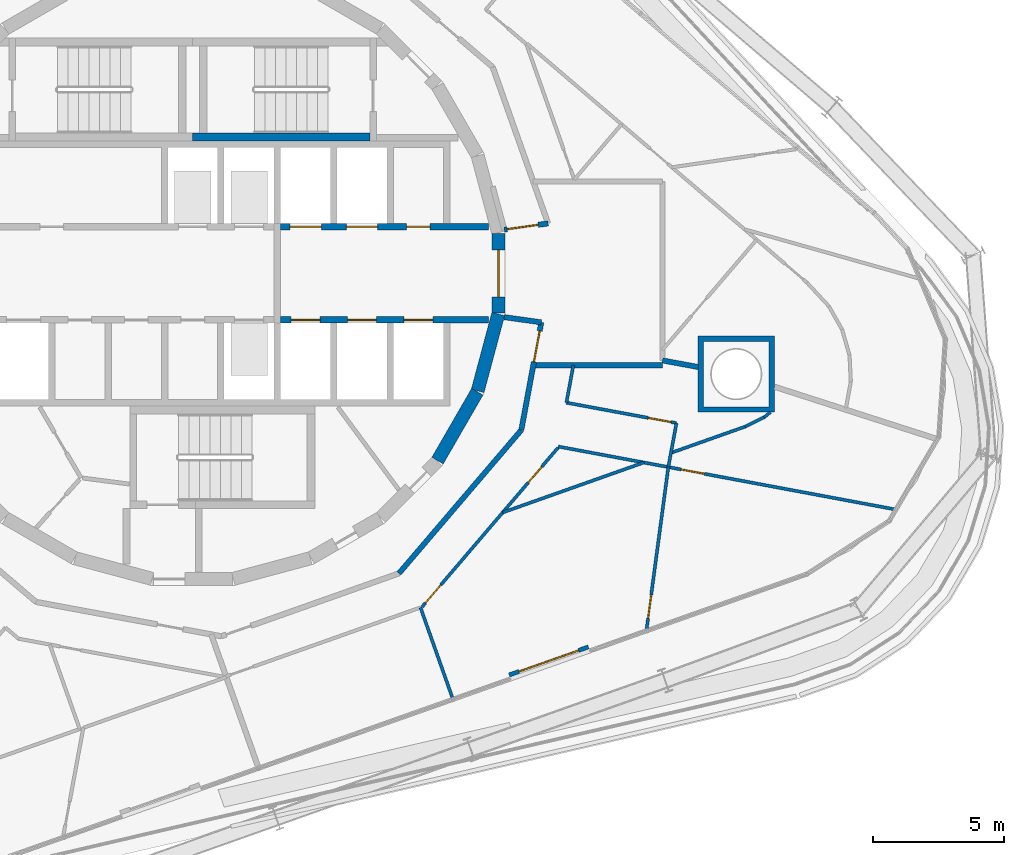
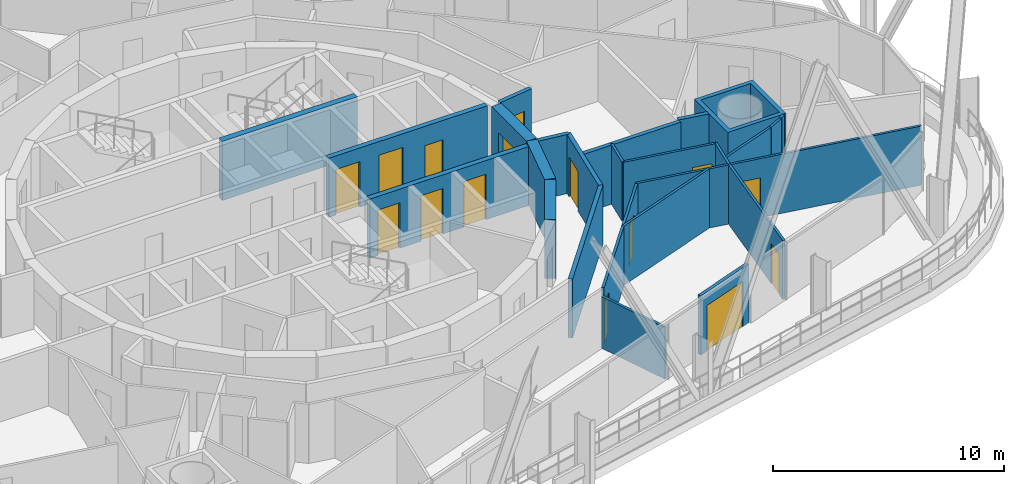
# One storey, part 13 of 25: 25 walls, 15 doors, 15 openings.
"""IFC4 building model written with IfcOpenShell, lengths in metres."""

from ifc_helpers import new_model, si_unit, direction, frame, frame_2d, origin, place, context, subcontext, project, spatial, polyline, rectangle, outline, extrude, material, layer, layer_set, type_object, element, fill, save


model = new_model("IFC4")

# Units and contexts
model_context = context("Model", 3, precision=1e-05, world=origin(), true_north=direction((0.0, 1.0)))
body_context = subcontext(model_context, "Body", "Model", "MODEL_VIEW")
ifc_project = project(units=[si_unit("LENGTHUNIT", "METRE"), si_unit("AREAUNIT", "SQUARE_METRE"), si_unit("VOLUMEUNIT", "CUBIC_METRE"), si_unit("PLANEANGLEUNIT", "RADIAN"), si_unit("MASSUNIT", "GRAM", prefix="KILO")], contexts=[model_context])

# Site, building, storey
site_placement = place(None, origin())
site = spatial("IfcSite", under=ifc_project, at=site_placement, CompositionType="ELEMENT")
building_placement = place(site_placement, origin())
building = spatial("IfcBuilding", under=site, at=building_placement, Name="Spindle Arch Residences", CompositionType="ELEMENT")
storey_placement = place(building_placement, frame((0.0, 0.0, 151.699951171875)))
storey = spatial("IfcBuildingStorey", under=building, at=storey_placement, Name="L37", CompositionType="ELEMENT", Elevation=151.699951171875)

# Walls
ifc_material_1 = material(Name="Concrete C50/60", Category="concrete")
ifc_layer_1 = layer(ifc_material_1, 0.5)
ifc_layer_set_1 = layer_set([ifc_layer_1], Name="Core outline wall 500")
wall_type_1 = type_object("IfcWallType", Name="Core outline wall 500", PredefinedType="SHEAR", material=ifc_layer_set_1)
for number, where, z_axis, x_axis, name in (
    (1, (9.32861328125, -7.13671875, 0.0), (0.0, 0.0, 1.0), (0.500087131594, 0.865975092491, 0.0), "Core outline wall 4"),
    (2, (10.858154296875, -4.479248046875, 0.0), (0.0, 0.0, 1.0), (0.258734743916, 0.965948410781, 0.0), "Core outline wall 5"),
):
    element("IfcWall", number, at=place(storey_placement, frame(where, z_axis=z_axis, x_axis=x_axis)), inside=storey, type_object=wall_type_1, Name=name, PredefinedType="SHEAR", context=body_context, shape_type="SweptSolid", body=[
        extrude(rectangle(XDim=3.03271484375, YDim=0.5, at=frame_2d((1.516357421875, 0.0))), origin(), (0.0, 0.0, 1.0), 3.1201171875),
    ])

# Wall, opening, door
wall_1_placement = place(storey_placement, frame((11.647216796875, -1.516357421875, 0.0), z_axis=(0.0, 0.0, 1.0), x_axis=(0.0, 1.0, 0.0)))
wall_1 = element("IfcWall", 3, at=wall_1_placement, inside=storey, type_object=wall_type_1, Name="Core outline wall 6", PredefinedType="SHEAR", context=body_context, shape_type="SweptSolid", body=[
    extrude(rectangle(XDim=3.03271484375, YDim=0.5, at=frame_2d((1.516357421875, 0.0))), origin(), (0.0, 0.0, 1.0), 3.1201171875),
])
opening_1_placement = place(wall_1_placement, frame((0.6162109375, 0.0, 0.0)))
opening_1 = element("IfcOpeningElement", 4, at=opening_1_placement, cuts=wall_1, Name="Opening R4A0-FE01", PredefinedType="OPENING", context=body_context, shape_type="SweptSolid", body=[
    extrude(rectangle(XDim=1.800048828125, YDim=2.10009765625, at=frame_2d((0.89990234375, 1.050048828125))), frame((0.0, 0.260009765625, 0.0), z_axis=(0.0, -1.0, 0.0), x_axis=(1.0, 0.0, 0.0)), (0.0, 0.0, 1.0), 0.52001953125),
])
ifc_material_2 = material(Name="Steel, fire-resisting door", Category="steel")
door_type_1 = type_object("IfcDoorType", Name="Fire-lift lobby door 1800x2100", OperationType="DOUBLE_DOOR_SINGLE_SWING", PredefinedType="DOOR", material=ifc_material_2)
door_1_placement = place(opening_1_placement, origin())
door_1 = element("IfcDoor", 5, at=door_1_placement, inside=storey, type_object=door_type_1, Name="Fire-lift lobby door R4A0-FE01", OperationType="DOUBLE_DOOR_SINGLE_SWING", OverallHeight=2.10009765625, OverallWidth=1.800048828125, PredefinedType="DOOR", context=body_context, shape_type="SweptSolid", body=[
    extrude(rectangle(XDim=1.800048828125, YDim=2.10009765625, at=frame_2d((0.89990234375, 1.050048828125))), frame((0.0, 0.02490234375, 0.0), z_axis=(0.0, -1.0, 0.0), x_axis=(1.0, 0.0, 0.0)), (0.0, 0.0, 1.0), 0.050048828125),
])
fill(opening_1, door_1)

# Wall
ifc_material_3 = material(Name="Calcium silicate block, plastered")
ifc_layer_2 = layer(ifc_material_3, 0.199951171875)
ifc_layer_set_2 = layer_set([ifc_layer_2], Name="Corridor wall 200")
wall_type_2 = type_object("IfcWallType", Name="Corridor wall 200", PredefinedType="STANDARD", material=ifc_layer_set_2)
wall_2_placement = place(storey_placement, frame((7.857666015625, -11.432861328125, 0.0), z_axis=(0.0, 0.0, 1.0), x_axis=(0.649440801937, 0.760412154545, 0.0)))
element("IfcWall", 6, at=wall_2_placement, inside=storey, type_object=wall_type_2, Name="Corridor wall R4A0-W020", PredefinedType="STANDARD", context=body_context, shape_type="SweptSolid", body=[
    extrude(rectangle(XDim=7.180908203125, YDim=0.199951171875, at=frame_2d((3.59033203125, 0.0))), origin(), (0.0, 0.0, 1.0), 3.1201171875),
])

# Wall, opening, door
ifc_material_4 = material(Name="Calcium silicate block, plastered")
ifc_layer_3 = layer(ifc_material_4, 0.199951171875)
ifc_layer_set_3 = layer_set([ifc_layer_3], Name="Fire-lift lobby bay wall 200")
wall_type_3 = type_object("IfcWallType", Name="Fire-lift lobby bay wall 200", PredefinedType="STANDARD", material=ifc_layer_set_3)
wall_3_placement = place(storey_placement, frame((11.8701171875, 1.668212890625, 0.0), z_axis=(0.0, 0.0, 1.0), x_axis=(0.990270910415, 0.139152879904, 0.0)))
wall_3 = element("IfcWall", 7, at=wall_3_placement, inside=storey, type_object=wall_type_3, Name="Fire-lift lobby bay wall R4A0-W002", PredefinedType="STANDARD", context=body_context, shape_type="SweptSolid", body=[
    extrude(rectangle(XDim=1.687744140625, YDim=0.199951171875, at=frame_2d((0.84375, 0.0))), origin(), (0.0, 0.0, 1.0), 3.1201171875),
])
opening_2_placement = place(wall_3_placement, frame((0.110107421875, 0.0, 0.0)))
opening_2 = element("IfcOpeningElement", 8, at=opening_2_placement, cuts=wall_3, Name="Opening R4A0-CD01", PredefinedType="OPENING", context=body_context, shape_type="SweptSolid", body=[
    extrude(rectangle(XDim=1.199951171875, YDim=2.10009765625, at=frame_2d((0.60009765625, 1.050048828125))), frame((0.0, 0.10986328125, 0.0), z_axis=(0.0, -1.0, 0.0), x_axis=(1.0, 0.0, 0.0)), (0.0, 0.0, 1.0), 0.219970703125),
])
ifc_material_5 = material(Name="Steel, fire-resisting door", Category="steel")
door_type_2 = type_object("IfcDoorType", Name="Corridor division door 1200x2100", OperationType="NOTDEFINED", PredefinedType="DOOR", material=ifc_material_5)
door_2_placement = place(opening_2_placement, origin())
door_2 = element("IfcDoor", 9, at=door_2_placement, inside=storey, type_object=door_type_2, Name="Corridor division door R4A0-CD01", OperationType="DOUBLE_DOOR_SINGLE_SWING", OverallHeight=2.10009765625, OverallWidth=1.199951171875, PredefinedType="DOOR", context=body_context, shape_type="SweptSolid", body=[
    extrude(rectangle(XDim=1.199951171875, YDim=2.10009765625, at=frame_2d((0.60009765625, 1.050048828125))), frame((0.0, 0.02490234375, 0.0), z_axis=(0.0, -1.0, 0.0), x_axis=(1.0, 0.0, 0.0)), (0.0, 0.0, 1.0), 0.050048828125),
])
fill(opening_2, door_2)

wall_4_placement = place(storey_placement, frame((12.521240234375, -5.972412109375, 0.0), z_axis=(0.0, 0.0, 1.0), x_axis=(0.182244189886, 0.983253301674, 0.0)))
wall_4 = element("IfcWall", 10, at=wall_4_placement, inside=storey, type_object=wall_type_3, Name="Fire-lift lobby bay wall R4A0-W012", PredefinedType="STANDARD", context=body_context, shape_type="SweptSolid", body=[
    extrude(rectangle(XDim=4.175537109375, YDim=0.199951171875, at=frame_2d((2.087890625, 0.0))), origin(), (0.0, 0.0, 1.0), 3.1201171875),
])
opening_3_placement = place(wall_4_placement, frame((2.64453125, 0.0, 0.0)))
opening_3 = element("IfcOpeningElement", 11, at=opening_3_placement, cuts=wall_4, Name="Opening R4A0-CD02", PredefinedType="OPENING", context=body_context, shape_type="SweptSolid", body=[
    extrude(rectangle(XDim=1.199951171875, YDim=2.10009765625, at=frame_2d((0.60009765625, 1.050048828125))), frame((0.0, 0.10986328125, 0.0), z_axis=(0.0, -1.0, 0.0), x_axis=(1.0, 0.0, 0.0)), (0.0, 0.0, 1.0), 0.219970703125),
])
door_3_placement = place(opening_3_placement, origin())
door_3 = element("IfcDoor", 12, at=door_3_placement, inside=storey, type_object=door_type_2, Name="Corridor division door R4A0-CD02", OperationType="DOUBLE_DOOR_SINGLE_SWING", OverallHeight=2.10009765625, OverallWidth=1.199951171875, PredefinedType="DOOR", context=body_context, shape_type="SweptSolid", body=[
    extrude(rectangle(XDim=1.199951171875, YDim=2.10009765625, at=frame_2d((0.60009765625, 1.050048828125))), frame((0.0, 0.02490234375, 0.0), z_axis=(0.0, -1.0, 0.0), x_axis=(1.0, 0.0, 0.0)), (0.0, 0.0, 1.0), 0.050048828125),
])
fill(opening_3, door_3)

# Walls
wall_5_placement = place(storey_placement, frame((13.2822265625, -1.86669921875, 0.0), z_axis=(0.0, 0.0, 1.0), x_axis=(-0.990265430288, 0.139191873241, 0.0)))
element("IfcWall", 13, at=wall_5_placement, inside=storey, type_object=wall_type_3, Name="Fire-lift lobby bay wall R4A0-W013", PredefinedType="STANDARD", context=body_context, shape_type="SweptSolid", body=[
    extrude(rectangle(XDim=1.426025390625, YDim=0.199951171875, at=frame_2d((0.712890625, 0.0))), origin(), (0.0, 0.0, 1.0), 3.1201171875),
])
wall_6_placement = place(storey_placement, frame((12.9794921875, -3.5, 0.0), z_axis=(0.0, 0.0, 1.0), x_axis=(1.0, 0.0, 0.0)))
element("IfcWall", 14, at=wall_6_placement, inside=storey, type_object=wall_type_3, Name="Fire-lift lobby bay wall R4A0-W026", PredefinedType="STANDARD", context=body_context, shape_type="SweptSolid", body=[
    extrude(rectangle(XDim=4.92041015625, YDim=0.199951171875, at=frame_2d((2.460205078125, 0.0))), origin(), (0.0, 0.0, 1.0), 3.1201171875),
])

# Wall, openings, doors
ifc_material_6 = material(Name="Concrete C40/50", Category="concrete")
ifc_layer_4 = layer(ifc_material_6, 0.25)
ifc_layer_set_4 = layer_set([ifc_layer_4], Name="Fire-lift lobby wall 250")
wall_type_4 = type_object("IfcWallType", Name="Fire-lift lobby wall 250", PredefinedType="SHEAR", material=ifc_layer_set_4)
wall_7_placement = place(storey_placement, frame((3.35009765625, 1.77490234375, 0.0), z_axis=(0.0, 0.0, 1.0), x_axis=(1.0, 0.0, 0.0)))
wall_7 = element("IfcWall", 15, at=wall_7_placement, inside=storey, type_object=wall_type_4, Name="Lift shaft front wall NE", PredefinedType="SHEAR", context=body_context, shape_type="SweptSolid", body=[
    extrude(rectangle(XDim=7.929931640625, YDim=0.25, at=frame_2d((3.96484375, 0.0))), origin(), (0.0, 0.0, 1.0), 3.1201171875),
])
opening_4_placement = place(wall_7_placement, frame((0.35009765625, 0.0, 0.0)))
opening_4 = element("IfcOpeningElement", 16, at=opening_4_placement, cuts=wall_7, Name="Opening R4A0-SLD01", PredefinedType="OPENING", context=body_context, shape_type="SweptSolid", body=[
    extrude(rectangle(XDim=1.199951171875, YDim=2.39990234375, at=frame_2d((0.60009765625, 1.199951171875))), frame((0.0, 0.135009765625, 0.0), z_axis=(0.0, -1.0, 0.0), x_axis=(1.0, 0.0, 0.0)), (0.0, 0.0, 1.0), 0.27001953125),
])
opening_5_placement = place(wall_7_placement, frame((2.5, 0.0, 0.0)))
opening_5 = element("IfcOpeningElement", 17, at=opening_5_placement, cuts=wall_7, Name="Opening R4A0-SLD02", PredefinedType="OPENING", context=body_context, shape_type="SweptSolid", body=[
    extrude(rectangle(XDim=1.199951171875, YDim=2.39990234375, at=frame_2d((0.60009765625, 1.199951171875))), frame((0.0, 0.135009765625, 0.0), z_axis=(0.0, -1.0, 0.0), x_axis=(1.0, 0.0, 0.0)), (0.0, 0.0, 1.0), 0.27001953125),
])
opening_6_placement = place(wall_7_placement, frame((4.800048828125, 0.0, 0.0)))
opening_6 = element("IfcOpeningElement", 18, at=opening_6_placement, cuts=wall_7, Name="Opening R4A0-WD02", PredefinedType="OPENING", context=body_context, shape_type="SweptSolid", body=[
    extrude(rectangle(XDim=0.89990234375, YDim=2.10009765625, at=frame_2d((0.449951171875, 1.050048828125))), frame((0.0, 0.135009765625, 0.0), z_axis=(0.0, -1.0, 0.0), x_axis=(1.0, 0.0, 0.0)), (0.0, 0.0, 1.0), 0.27001953125),
])
ifc_material_7 = material(Name="Steel, fire-resisting landing door", Category="steel")
door_type_3 = type_object("IfcDoorType", Name="Service lift landing door 1200x2400", OperationType="DOUBLE_DOOR_SLIDING", PredefinedType="DOOR", material=ifc_material_7)
door_4_placement = place(opening_4_placement, origin())
door_4 = element("IfcDoor", 19, at=door_4_placement, inside=storey, type_object=door_type_3, Name="Service lift landing door R4A0-SLD01", OperationType="DOUBLE_DOOR_SLIDING", OverallHeight=2.39990234375, OverallWidth=1.199951171875, PredefinedType="DOOR", context=body_context, shape_type="SweptSolid", body=[
    extrude(rectangle(XDim=1.199951171875, YDim=2.39990234375, at=frame_2d((0.60009765625, 1.199951171875))), frame((0.0, 0.02490234375, 0.0), z_axis=(0.0, -1.0, 0.0), x_axis=(1.0, 0.0, 0.0)), (0.0, 0.0, 1.0), 0.050048828125),
])
fill(opening_4, door_4)
door_5_placement = place(opening_5_placement, origin())
door_5 = element("IfcDoor", 20, at=door_5_placement, inside=storey, type_object=door_type_3, Name="Service lift landing door R4A0-SLD02", OperationType="DOUBLE_DOOR_SLIDING", OverallHeight=2.39990234375, OverallWidth=1.199951171875, PredefinedType="DOOR", context=body_context, shape_type="SweptSolid", body=[
    extrude(rectangle(XDim=1.199951171875, YDim=2.39990234375, at=frame_2d((0.60009765625, 1.199951171875))), frame((0.0, 0.02490234375, 0.0), z_axis=(0.0, -1.0, 0.0), x_axis=(1.0, 0.0, 0.0)), (0.0, 0.0, 1.0), 0.050048828125),
])
fill(opening_5, door_5)
ifc_material_8 = material(Name="Steel, fire-resisting door", Category="steel")
door_type_4 = type_object("IfcDoorType", Name="Service room door 900x2100", OperationType="SINGLE_SWING_LEFT", PredefinedType="DOOR", material=ifc_material_8)
door_6_placement = place(opening_6_placement, origin())
door_6 = element("IfcDoor", 21, at=door_6_placement, inside=storey, type_object=door_type_4, Name="Service room door R4A0-WD02", OperationType="SINGLE_SWING_RIGHT", OverallHeight=2.10009765625, OverallWidth=0.89990234375, PredefinedType="DOOR", context=body_context, shape_type="SweptSolid", body=[
    extrude(rectangle(XDim=0.89990234375, YDim=2.10009765625, at=frame_2d((0.449951171875, 1.050048828125))), frame((0.0, 0.02490234375, 0.0), z_axis=(0.0, -1.0, 0.0), x_axis=(1.0, 0.0, 0.0)), (0.0, 0.0, 1.0), 0.050048828125),
])
fill(opening_6, door_6)

ifc_material_9 = material(Name="Concrete C50/60", Category="concrete")
ifc_layer_5 = layer(ifc_material_9, 0.25)
ifc_layer_set_5 = layer_set([ifc_layer_5], Name="Fire-lift shaft wall 250")
wall_type_5 = type_object("IfcWallType", Name="Fire-lift shaft wall 250", PredefinedType="SHEAR", material=ifc_layer_set_5)
wall_8_placement = place(storey_placement, frame((3.35009765625, -1.77490234375, 0.0), z_axis=(0.0, 0.0, 1.0), x_axis=(1.0, 0.0, 0.0)))
wall_8 = element("IfcWall", 22, at=wall_8_placement, inside=storey, type_object=wall_type_5, Name="Lift shaft front wall SE", PredefinedType="SHEAR", context=body_context, shape_type="SweptSolid", body=[
    extrude(rectangle(XDim=7.929931640625, YDim=0.25, at=frame_2d((3.96484375, 0.0))), origin(), (0.0, 0.0, 1.0), 3.1201171875),
])
opening_7_placement = place(wall_8_placement, frame((0.39990234375, 0.0, 0.0)))
opening_7 = element("IfcOpeningElement", 23, at=opening_7_placement, cuts=wall_8, Name="Opening R4A0-FLD01", PredefinedType="OPENING", context=body_context, shape_type="SweptSolid", body=[
    extrude(rectangle(XDim=1.10009765625, YDim=2.39990234375, at=frame_2d((0.550048828125, 1.199951171875))), frame((0.0, 0.135009765625, 0.0), z_axis=(0.0, -1.0, 0.0), x_axis=(1.0, 0.0, 0.0)), (0.0, 0.0, 1.0), 0.27001953125),
])
opening_8_placement = place(wall_8_placement, frame((2.550048828125, 0.0, 0.0)))
opening_8 = element("IfcOpeningElement", 24, at=opening_8_placement, cuts=wall_8, Name="Opening R4A0-FLD02", PredefinedType="OPENING", context=body_context, shape_type="SweptSolid", body=[
    extrude(rectangle(XDim=1.10009765625, YDim=2.39990234375, at=frame_2d((0.550048828125, 1.199951171875))), frame((0.0, 0.135009765625, 0.0), z_axis=(0.0, -1.0, 0.0), x_axis=(1.0, 0.0, 0.0)), (0.0, 0.0, 1.0), 0.27001953125),
])
opening_9_placement = place(wall_8_placement, frame((4.699951171875, 0.0, 0.0)))
opening_9 = element("IfcOpeningElement", 25, at=opening_9_placement, cuts=wall_8, Name="Opening R4A0-FLD03", PredefinedType="OPENING", context=body_context, shape_type="SweptSolid", body=[
    extrude(rectangle(XDim=1.10009765625, YDim=2.39990234375, at=frame_2d((0.550048828125, 1.199951171875))), frame((0.0, 0.135009765625, 0.0), z_axis=(0.0, -1.0, 0.0), x_axis=(1.0, 0.0, 0.0)), (0.0, 0.0, 1.0), 0.27001953125),
])
ifc_material_10 = material(Name="Steel, fire-resisting landing door", Category="steel")
door_type_5 = type_object("IfcDoorType", Name="Fire-fighting lift landing door 1100x2400", OperationType="DOUBLE_DOOR_SLIDING", PredefinedType="DOOR", material=ifc_material_10)
door_7_placement = place(opening_7_placement, origin())
door_7 = element("IfcDoor", 26, at=door_7_placement, inside=storey, type_object=door_type_5, Name="Fire-fighting lift landing door R4A0-FLD01", OperationType="DOUBLE_DOOR_SLIDING", OverallHeight=2.39990234375, OverallWidth=1.10009765625, PredefinedType="DOOR", context=body_context, shape_type="SweptSolid", body=[
    extrude(rectangle(XDim=1.10009765625, YDim=2.39990234375, at=frame_2d((0.550048828125, 1.199951171875))), frame((0.0, 0.02490234375, 0.0), z_axis=(0.0, -1.0, 0.0), x_axis=(1.0, 0.0, 0.0)), (0.0, 0.0, 1.0), 0.050048828125),
])
fill(opening_7, door_7)
door_8_placement = place(opening_8_placement, origin())
door_8 = element("IfcDoor", 27, at=door_8_placement, inside=storey, type_object=door_type_5, Name="Fire-fighting lift landing door R4A0-FLD02", OperationType="DOUBLE_DOOR_SLIDING", OverallHeight=2.39990234375, OverallWidth=1.10009765625, PredefinedType="DOOR", context=body_context, shape_type="SweptSolid", body=[
    extrude(rectangle(XDim=1.10009765625, YDim=2.39990234375, at=frame_2d((0.550048828125, 1.199951171875))), frame((0.0, 0.02490234375, 0.0), z_axis=(0.0, -1.0, 0.0), x_axis=(1.0, 0.0, 0.0)), (0.0, 0.0, 1.0), 0.050048828125),
])
fill(opening_8, door_8)
door_9_placement = place(opening_9_placement, origin())
door_9 = element("IfcDoor", 28, at=door_9_placement, inside=storey, type_object=door_type_5, Name="Fire-fighting lift landing door R4A0-FLD03", OperationType="DOUBLE_DOOR_SLIDING", OverallHeight=2.39990234375, OverallWidth=1.10009765625, PredefinedType="DOOR", context=body_context, shape_type="SweptSolid", body=[
    extrude(rectangle(XDim=1.10009765625, YDim=2.39990234375, at=frame_2d((0.550048828125, 1.199951171875))), frame((0.0, 0.02490234375, 0.0), z_axis=(0.0, -1.0, 0.0), x_axis=(1.0, 0.0, 0.0)), (0.0, 0.0, 1.0), 0.050048828125),
])
fill(opening_9, door_9)

ifc_material_11 = material(Name="Plasterboard on steel studs", Category="steel")
ifc_layer_6 = layer(ifc_material_11, 0.1201171875)
ifc_layer_set_6 = layer_set([ifc_layer_6], Name="Flat partition 120")
wall_type_6 = type_object("IfcWallType", Name="Flat partition 120", PredefinedType="PARTITIONING", material=ifc_layer_set_6)
wall_9_placement = place(storey_placement, frame((8.7373046875, -12.712646484375, 0.0), z_axis=(0.0, 0.0, 1.0), x_axis=(0.649430604754, 0.760420863476, 0.0)))
wall_9 = element("IfcWall", 29, at=wall_9_placement, inside=storey, type_object=wall_type_6, Name="Flat partition R4A0-W112", PredefinedType="PARTITIONING", context=body_context, shape_type="SweptSolid", body=[
    extrude(rectangle(XDim=7.98486328125, YDim=0.1201171875, at=frame_2d((3.992431640625, 0.0))), origin(), (0.0, 0.0, 1.0), 3.1201171875),
])
opening_10_placement = place(wall_9_placement, frame((0.199951171875, 0.0, 0.0)))
opening_10 = element("IfcOpeningElement", 30, at=opening_10_placement, cuts=wall_9, Name="Opening R4A0-ID26", PredefinedType="OPENING", context=body_context, shape_type="SweptSolid", body=[
    extrude(rectangle(XDim=0.89990234375, YDim=2.10009765625, at=frame_2d((0.449951171875, 1.050048828125))), frame((0.0, 0.070068359375, 0.0), z_axis=(0.0, -1.0, 0.0), x_axis=(1.0, 0.0, 0.0)), (0.0, 0.0, 1.0), 0.14013671875),
])
opening_11_placement = place(wall_9_placement, frame((6.234130859375, 0.0, 0.0)))
opening_11 = element("IfcOpeningElement", 31, at=opening_11_placement, cuts=wall_9, Name="Opening R4A0-BD06", PredefinedType="OPENING", context=body_context, shape_type="SweptSolid", body=[
    extrude(rectangle(XDim=0.800048828125, YDim=2.10009765625, at=frame_2d((0.39990234375, 1.050048828125))), frame((0.0, 0.070068359375, 0.0), z_axis=(0.0, -1.0, 0.0), x_axis=(1.0, 0.0, 0.0)), (0.0, 0.0, 1.0), 0.14013671875),
])
ifc_material_12 = material(Name="Timber door set", Category="wood")
door_type_6 = type_object("IfcDoorType", Name="Bathroom door 800x2100", OperationType="NOTDEFINED", PredefinedType="DOOR", material=ifc_material_12)
door_10_placement = place(opening_11_placement, origin())
door_10 = element("IfcDoor", 32, at=door_10_placement, inside=storey, type_object=door_type_6, Name="Bathroom door R4A0-BD06", OperationType="SINGLE_SWING_RIGHT", OverallHeight=2.10009765625, OverallWidth=0.800048828125, PredefinedType="DOOR", context=body_context, shape_type="SweptSolid", body=[
    extrude(rectangle(XDim=0.800048828125, YDim=2.10009765625, at=frame_2d((0.39990234375, 1.050048828125))), frame((0.0, 0.02490234375, 0.0), z_axis=(0.0, -1.0, 0.0), x_axis=(1.0, 0.0, 0.0)), (0.0, 0.0, 1.0), 0.050048828125),
])
fill(opening_11, door_10)
ifc_material_13 = material(Name="Timber door set", Category="wood")
door_type_7 = type_object("IfcDoorType", Name="Room door 900x2100", OperationType="NOTDEFINED", PredefinedType="DOOR", material=ifc_material_13)
door_11_placement = place(opening_10_placement, origin())
door_11 = element("IfcDoor", 33, at=door_11_placement, inside=storey, type_object=door_type_7, Name="Room door R4A0-ID26", OperationType="SINGLE_SWING_RIGHT", OverallHeight=2.10009765625, OverallWidth=0.89990234375, PredefinedType="DOOR", context=body_context, shape_type="SweptSolid", body=[
    extrude(rectangle(XDim=0.89990234375, YDim=2.10009765625, at=frame_2d((0.449951171875, 1.050048828125))), frame((0.0, 0.02490234375, 0.0), z_axis=(0.0, -1.0, 0.0), x_axis=(1.0, 0.0, 0.0)), (0.0, 0.0, 1.0), 0.050048828125),
])
fill(opening_10, door_11)

# Wall, opening, door
wall_10_placement = place(storey_placement, frame((13.930419921875, -6.60009765625, 0.0), z_axis=(0.0, 0.0, 1.0), x_axis=(0.983034896283, -0.183418626887, 0.0)))
wall_10 = element("IfcWall", 34, at=wall_10_placement, inside=storey, type_object=wall_type_6, Name="Flat partition R4A0-W113", PredefinedType="PARTITIONING", context=body_context, shape_type="SweptSolid", body=[
    extrude(rectangle(XDim=13.065673828125, YDim=0.1201171875, at=frame_2d((6.53271484375, 0.0))), origin(), (0.0, 0.0, 1.0), 3.1201171875),
])
opening_12_placement = place(wall_10_placement, frame((4.765625, 0.0, 0.0)))
opening_12 = element("IfcOpeningElement", 35, at=opening_12_placement, cuts=wall_10, Name="Opening R4A0-ID29", PredefinedType="OPENING", context=body_context, shape_type="SweptSolid", body=[
    extrude(rectangle(XDim=0.89990234375, YDim=2.10009765625, at=frame_2d((0.449951171875, 1.050048828125))), frame((0.0, 0.070068359375, 0.0), z_axis=(0.0, -1.0, 0.0), x_axis=(1.0, 0.0, 0.0)), (0.0, 0.0, 1.0), 0.14013671875),
])
door_12_placement = place(opening_12_placement, origin())
door_12 = element("IfcDoor", 36, at=door_12_placement, inside=storey, type_object=door_type_7, Name="Room door R4A0-ID29", OperationType="SINGLE_SWING_RIGHT", OverallHeight=2.10009765625, OverallWidth=0.89990234375, PredefinedType="DOOR", context=body_context, shape_type="SweptSolid", body=[
    extrude(rectangle(XDim=0.89990234375, YDim=2.10009765625, at=frame_2d((0.449951171875, 1.050048828125))), frame((0.0, 0.02490234375, 0.0), z_axis=(0.0, -1.0, 0.0), x_axis=(1.0, 0.0, 0.0)), (0.0, 0.0, 1.0), 0.050048828125),
])
fill(opening_12, door_12)

# Wall
wall_11_placement = place(storey_placement, frame((18.124755859375, -7.37744140625, 0.0), z_axis=(0.0, 0.0, 1.0), x_axis=(0.182233242958, 0.983255330604, 0.0)))
element("IfcWall", 37, at=wall_11_placement, inside=storey, type_object=wall_type_6, Name="Flat partition R4A0-W114", PredefinedType="PARTITIONING", context=body_context, shape_type="SweptSolid", body=[
    extrude(rectangle(XDim=1.7001953125, YDim=0.1201171875, at=frame_2d((0.85009765625, 0.0))), origin(), (0.0, 0.0, 1.0), 3.1201171875),
])

# Wall, opening, door
wall_12_placement = place(storey_placement, frame((18.4345703125, -5.705810546875, 0.0), z_axis=(0.0, 0.0, 1.0), x_axis=(-0.983256187302, 0.18222862051, 0.0)))
wall_12 = element("IfcWall", 38, at=wall_12_placement, inside=storey, type_object=wall_type_6, Name="Flat partition R4A0-W115", PredefinedType="PARTITIONING", context=body_context, shape_type="SweptSolid", body=[
    extrude(rectangle(XDim=4.265869140625, YDim=0.1201171875, at=frame_2d((2.1328125, 0.0))), origin(), (0.0, 0.0, 1.0), 3.1201171875),
])
opening_13_placement = place(wall_12_placement, frame((0.199951171875, 0.0, 0.0)))
opening_13 = element("IfcOpeningElement", 39, at=opening_13_placement, cuts=wall_12, Name="Opening R4A0-ID27", PredefinedType="OPENING", context=body_context, shape_type="SweptSolid", body=[
    extrude(rectangle(XDim=0.89990234375, YDim=2.10009765625, at=frame_2d((0.449951171875, 1.050048828125))), frame((0.0, 0.070068359375, 0.0), z_axis=(0.0, -1.0, 0.0), x_axis=(1.0, 0.0, 0.0)), (0.0, 0.0, 1.0), 0.14013671875),
])
door_13_placement = place(opening_13_placement, origin())
door_13 = element("IfcDoor", 40, at=door_13_placement, inside=storey, type_object=door_type_7, Name="Room door R4A0-ID27", OperationType="SINGLE_SWING_LEFT", OverallHeight=2.10009765625, OverallWidth=0.89990234375, PredefinedType="DOOR", context=body_context, shape_type="SweptSolid", body=[
    extrude(rectangle(XDim=0.89990234375, YDim=2.10009765625, at=frame_2d((0.449951171875, 1.050048828125))), frame((0.0, 0.02490234375, 0.0), z_axis=(0.0, -1.0, 0.0), x_axis=(1.0, 0.0, 0.0)), (0.0, 0.0, 1.0), 0.050048828125),
])
fill(opening_13, door_13)

# Walls
wall_13_placement = place(storey_placement, frame((14.240234375, -4.928466796875, 0.0), z_axis=(0.0, 0.0, 1.0), x_axis=(0.182329957282, 0.983237400976, 0.0)))
element("IfcWall", 41, at=wall_13_placement, inside=storey, type_object=wall_type_6, Name="Flat partition R4A0-W116", PredefinedType="PARTITIONING", context=body_context, shape_type="SweptSolid", body=[
    extrude(rectangle(XDim=1.452880859375, YDim=0.1201171875, at=frame_2d((0.7265625, 0.0))), origin(), (0.0, 0.0, 1.0), 3.1201171875),
])
wall_14_placement = place(storey_placement, frame((17.197509765625, -7.20556640625, 0.0), z_axis=(0.0, 0.0, 1.0), x_axis=(-0.942639551003, -0.333812337826, 0.0)))
element("IfcWall", 42, at=wall_14_placement, inside=storey, type_object=wall_type_6, Name="Flat partition R4A0-W118", PredefinedType="PARTITIONING", context=body_context, shape_type="SweptSolid", body=[
    extrude(rectangle(XDim=5.71337890625, YDim=0.1201171875, at=frame_2d((2.856689453125, 0.0))), origin(), (0.0, 0.0, 1.0), 3.1201171875),
])

# Wall, opening, door
wall_15_placement = place(storey_placement, frame((17.30029296875, -13.5341796875, 0.0), z_axis=(0.0, 0.0, 1.0), x_axis=(0.132727504799, 0.991152566192, 0.0)))
wall_15 = element("IfcWall", 43, at=wall_15_placement, inside=storey, type_object=wall_type_6, Name="Flat partition R4A0-W119", PredefinedType="PARTITIONING", context=body_context, shape_type="SweptSolid", body=[
    extrude(rectangle(XDim=6.211669921875, YDim=0.1201171875, at=frame_2d((3.10595703125, 0.0))), origin(), (0.0, 0.0, 1.0), 3.1201171875),
])
opening_14_placement = place(wall_15_placement, frame((0.39990234375, 0.0, 0.0)))
opening_14 = element("IfcOpeningElement", 44, at=opening_14_placement, cuts=wall_15, Name="Opening R4A0-ID28", PredefinedType="OPENING", context=body_context, shape_type="SweptSolid", body=[
    extrude(rectangle(XDim=0.89990234375, YDim=2.10009765625, at=frame_2d((0.449951171875, 1.050048828125))), frame((0.0, 0.070068359375, 0.0), z_axis=(0.0, -1.0, 0.0), x_axis=(1.0, 0.0, 0.0)), (0.0, 0.0, 1.0), 0.14013671875),
])
door_14_placement = place(opening_14_placement, origin())
door_14 = element("IfcDoor", 45, at=door_14_placement, inside=storey, type_object=door_type_7, Name="Room door R4A0-ID28", OperationType="SINGLE_SWING_RIGHT", OverallHeight=2.10009765625, OverallWidth=0.89990234375, PredefinedType="DOOR", context=body_context, shape_type="SweptSolid", body=[
    extrude(rectangle(XDim=0.89990234375, YDim=2.10009765625, at=frame_2d((0.449951171875, 1.050048828125))), frame((0.0, 0.02490234375, 0.0), z_axis=(0.0, -1.0, 0.0), x_axis=(1.0, 0.0, 0.0)), (0.0, 0.0, 1.0), 0.050048828125),
])
fill(opening_14, door_14)

# Walls
wall_16_placement = place(storey_placement, frame((22.013427734375, -5.2890625, 0.0), z_axis=(0.0, 0.0, 1.0), x_axis=(-0.771907381926, -0.635735002755, 0.0)))
element("IfcWall", 46, at=wall_16_placement, inside=storey, type_object=wall_type_6, Name="Flat partition R4A0-W120", PredefinedType="PARTITIONING", context=body_context, shape_type="SweptSolid", body=[
    extrude(rectangle(XDim=0.308349609375, YDim=0.1201171875, at=frame_2d((0.154296875, 0.0))), origin(), (0.0, 0.0, 1.0), 3.1201171875),
])
wall_17_placement = place(storey_placement, frame((21.775390625, -5.485107421875, 0.0), z_axis=(0.0, 0.0, 1.0), x_axis=(-0.897493373385, -0.441027940986, 0.0)))
element("IfcWall", 47, at=wall_17_placement, inside=storey, type_object=wall_type_6, Name="Flat partition R4A0-W121", PredefinedType="PARTITIONING", context=body_context, shape_type="SweptSolid", body=[
    extrude(rectangle(XDim=0.806640625, YDim=0.1201171875, at=frame_2d((0.4033203125, 0.0))), origin(), (0.0, 0.0, 1.0), 3.1201171875),
])
wall_18_placement = place(storey_placement, frame((21.051513671875, -5.8408203125, 0.0), z_axis=(0.0, 0.0, 1.0), x_axis=(-0.94262615799, -0.33385015542, 0.0)))
element("IfcWall", 48, at=wall_18_placement, inside=storey, type_object=wall_type_6, Name="Flat partition R4A0-W122", PredefinedType="PARTITIONING", context=body_context, shape_type="SweptSolid", body=[
    extrude(rectangle(XDim=2.999755859375, YDim=0.1201171875, at=frame_2d((1.5, 0.0))), origin(), (0.0, 0.0, 1.0), 3.1201171875),
])
ifc_material_14 = material(Name="Plasterboard on steel studs", Category="steel")
ifc_layer_7 = layer(ifc_material_14, 0.1201171875)
ifc_layer_set_7 = layer_set([ifc_layer_7], Name="Flat partition 120 under beam 2730")
wall_type_7 = type_object("IfcWallType", Name="Flat partition 120 under beam 2730", PredefinedType="PARTITIONING", material=ifc_layer_set_7)
wall_19_placement = place(storey_placement, frame((9.89111328125, -16.157958984375, 0.0), z_axis=(0.0, 0.0, 1.0), x_axis=(-0.33385336213, 0.942625022262, 0.0)))
element("IfcWall", 49, at=wall_19_placement, inside=storey, type_object=wall_type_7, Name="Flat partition R4A0-W117", PredefinedType="PARTITIONING", context=body_context, shape_type="SweptSolid", body=[
    extrude(rectangle(XDim=3.633056640625, YDim=0.1201171875, at=frame_2d((1.81640625, 0.0))), origin(), (0.0, 0.0, 1.0), 2.72998046875),
])
ifc_material_15 = material(Name="Calcium silicate block, plastered")
ifc_layer_8 = layer(ifc_material_15, 0.199951171875)
ifc_layer_set_8 = layer_set([ifc_layer_8], Name="Flat party wall 200")
wall_type_8 = type_object("IfcWallType", Name="Flat party wall 200", PredefinedType="STANDARD", material=ifc_layer_set_8)
wall_20_placement = place(storey_placement, frame((17.89990234375, -3.317626953125, 0.0), z_axis=(0.0, 0.0, 1.0), x_axis=(0.983252800712, -0.182246892682, 0.0)))
element("IfcWall", 50, at=wall_20_placement, inside=storey, type_object=wall_type_8, Name="Flat party wall R4A0-W029", PredefinedType="STANDARD", context=body_context, shape_type="SweptSolid", body=[
    extrude(rectangle(XDim=1.386474609375, YDim=0.199951171875, at=frame_2d((0.693359375, 0.0))), origin(), (0.0, 0.0, 1.0), 3.1201171875),
])

# Wall, opening, door
ifc_material_16 = material(Name="Non-combustible mineral wool insulated aluminium faced external wall (K0)", Category="aluminium")
ifc_layer_9 = layer(ifc_material_16, 0.159912109375)
ifc_layer_set_9 = layer_set([ifc_layer_9], Name="Insulated external wall panel 160")
wall_type_9 = type_object("IfcWallType", Name="Insulated external wall panel 160", PredefinedType="STANDARD", material=ifc_layer_set_9)
wall_21_placement = place(storey_placement, frame((12.060791015625, -15.304931640625, 0.0), z_axis=(0.0, 0.0, 1.0), x_axis=(0.942620722428, 0.333865502335, 0.0)))
wall_21 = element("IfcWall", 51, at=wall_21_placement, inside=storey, type_object=wall_type_9, Name="External wall L37 bay 1", PredefinedType="STANDARD", context=body_context, shape_type="SweptSolid", body=[
    extrude(rectangle(XDim=3.199951171875, YDim=0.159912109375, at=frame_2d((1.60009765625, 0.0))), origin(), (0.0, 0.0, 1.0), 3.1201171875),
])
opening_15_placement = place(wall_21_placement, frame((0.39990234375, 0.0, 0.0)))
opening_15 = element("IfcOpeningElement", 52, at=opening_15_placement, cuts=wall_21, Name="Opening BD01", PredefinedType="OPENING", context=body_context, shape_type="SweptSolid", body=[
    extrude(rectangle(XDim=2.39990234375, YDim=2.39990234375, at=frame_2d((1.199951171875, 1.199951171875))), frame((0.0, 0.08984375, 0.0), z_axis=(0.0, -1.0, 0.0), x_axis=(1.0, 0.0, 0.0)), (0.0, 0.0, 1.0), 0.179931640625),
])
ifc_material_17 = material(Name="Bronze aluminium frame, tinted double glazing", Category="aluminium")
door_type_8 = type_object("IfcDoorType", Name="Sliding glazed balcony door 2400x2400", OperationType="DOUBLE_DOOR_SLIDING", PredefinedType="DOOR", material=ifc_material_17)
door_15_placement = place(opening_15_placement, origin())
door_15 = element("IfcDoor", 53, at=door_15_placement, inside=storey, type_object=door_type_8, Name="Balcony door BD01", OperationType="DOUBLE_DOOR_SLIDING", OverallHeight=2.39990234375, OverallWidth=2.39990234375, PredefinedType="DOOR", context=body_context, shape_type="SweptSolid", body=[
    extrude(rectangle(XDim=2.39990234375, YDim=2.39990234375, at=frame_2d((1.199951171875, 1.199951171875))), frame((0.0, 0.02490234375, 0.0), z_axis=(0.0, -1.0, 0.0), x_axis=(1.0, 0.0, 0.0)), (0.0, 0.0, 1.0), 0.050048828125),
])
fill(opening_15, door_15)

# Walls
ifc_material_18 = material(Name="Calcium silicate block, plastered")
ifc_layer_10 = layer(ifc_material_18, 0.199951171875)
ifc_layer_set_10 = layer_set([ifc_layer_10], Name="Mega-column casing wall 200")
wall_type_10 = type_object("IfcWallType", Name="Mega-column casing wall 200", PredefinedType="STANDARD", material=ifc_layer_set_10)
wall_22_placement = place(storey_placement, origin())
element("IfcWall", 54, at=wall_22_placement, inside=storey, type_object=wall_type_10, Name="Mega-column casing wall R4A0-WC03", PredefinedType="STANDARD", context=body_context, shape_type="SweptSolid", body=[
    extrude(outline(polyline([(22.1630859375, -2.388916015625), (22.1630859375, -5.2890625), (19.26318359375, -5.2890625), (19.26318359375, -2.388916015625), (22.1630859375, -2.388916015625)]), holes=[polyline([(19.463134765625, -5.089111328125), (21.963134765625, -5.089111328125), (21.963134765625, -2.589111328125), (19.463134765625, -2.589111328125), (19.463134765625, -5.089111328125)])]), origin(), (0.0, 0.0, 1.0), 3.1201171875),
])
ifc_material_19 = material(Name="Concrete C50/60", Category="concrete")
ifc_layer_11 = layer(ifc_material_19, 0.300048828125)
ifc_layer_set_11 = layer_set([ifc_layer_11], Name="Stair enclosure wall 300")
wall_type_11 = type_object("IfcWallType", Name="Stair enclosure wall 300", PredefinedType="SHEAR", material=ifc_layer_set_11)
wall_23_placement = place(storey_placement, frame((0.0, 5.199951171875, 0.0), z_axis=(0.0, 0.0, 1.0), x_axis=(1.0, 0.0, 0.0)))
element("IfcWall", 55, at=wall_23_placement, inside=storey, type_object=wall_type_11, Name="Stair ST-1 enclosure wall S", PredefinedType="SHEAR", context=body_context, shape_type="SweptSolid", body=[
    extrude(rectangle(XDim=6.75, YDim=0.300048828125, at=frame_2d((3.375, 0.0))), origin(), (0.0, 0.0, 1.0), 3.1201171875),
])

save(model, "model.ifc")
